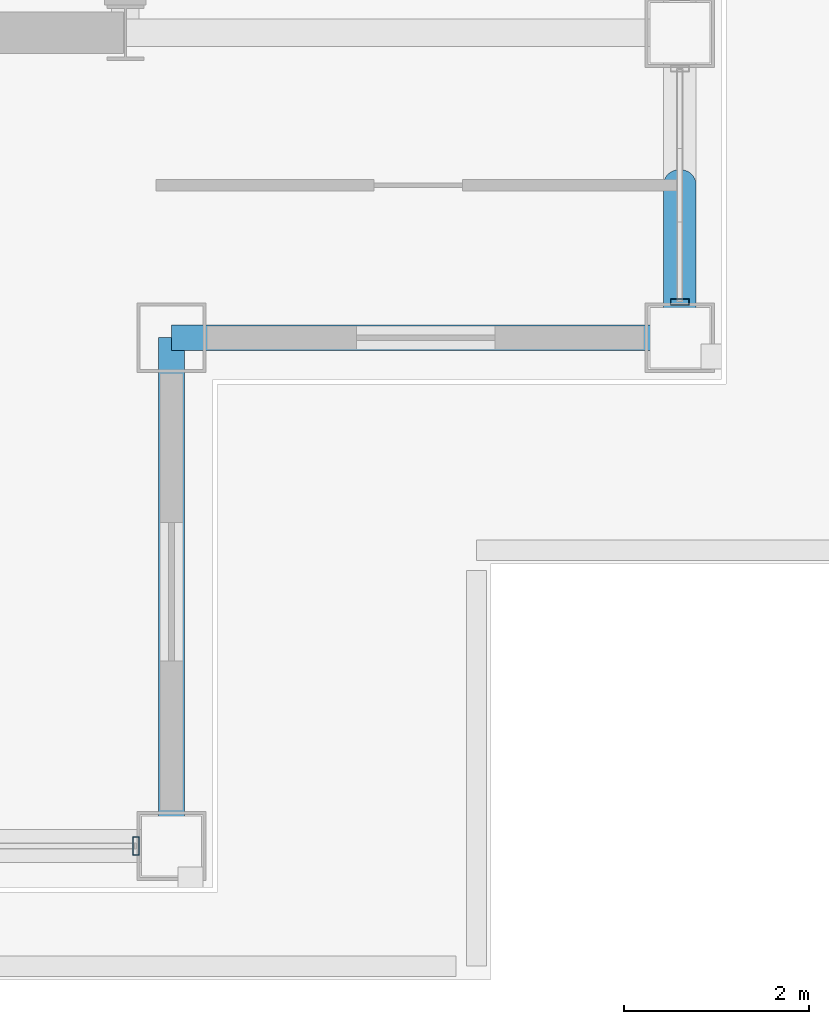
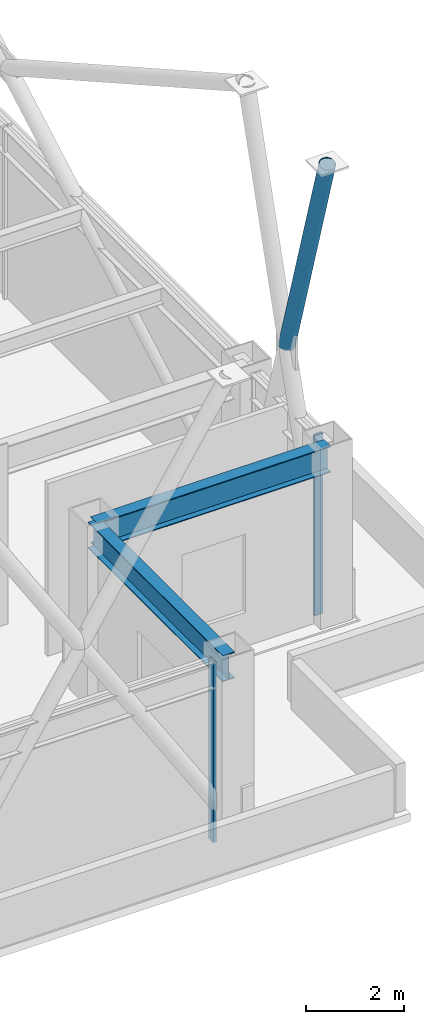
# One storey, part 10 of 24: 3 members, 2 beams, 2 elements without a shape of their own.
"""IFC4 building model written with IfcOpenShell, lengths in metres."""

from ifc_helpers import new_model, si_unit, direction, frame, origin, origin_2d, place, context, subcontext, project, spatial, hollow_rectangle, hollow_circle, i_section, extrude, material, layer, layer_set, material_profile, profile_set, type_object, element, aggregate, save


model = new_model("IFC4")

# Units and contexts
model_context = context("Model", 3, precision=1e-05, world=origin(), true_north=direction((0.0, 1.0)))
body_context = subcontext(model_context, "Body", "Model", "MODEL_VIEW")
ifc_project = project(units=[si_unit("LENGTHUNIT", "METRE"), si_unit("AREAUNIT", "SQUARE_METRE"), si_unit("VOLUMEUNIT", "CUBIC_METRE"), si_unit("PLANEANGLEUNIT", "RADIAN"), si_unit("MASSUNIT", "GRAM", prefix="KILO")], contexts=[model_context])

# Site, building, storey
site_placement = place(None, origin())
site = spatial("IfcSite", under=ifc_project, at=site_placement, CompositionType="ELEMENT")
building_placement = place(site_placement, origin())
building = spatial("IfcBuilding", under=site, at=building_placement, Name="Brelmoor Portico Tower", CompositionType="ELEMENT")
storey_placement = place(building_placement, frame((0.0, 0.0, 150.60009765625)))
storey = spatial("IfcBuildingStorey", under=building, at=storey_placement, Name="L39", CompositionType="ELEMENT", Elevation=150.60009765625)

# Beams
ifc_material_1 = material(Name="Steel Q355B", Category="steel")
ifc_material_profile_1 = material_profile(ifc_material_1, i_section(OverallWidth=0.280029296875, OverallDepth=0.64990234375, WebThickness=0.012939453125, FlangeThickness=0.02197265625, at=origin_2d()), Name="HN 650x280x13x22")
ifc_profile_set_1 = profile_set([ifc_material_profile_1], Name="Steel Q355B")
beam_type = type_object("IfcBeamType", Name="BM-SP-650", PredefinedType="SPANDREL", material=ifc_profile_set_1)
for number, where, z_axis, x_axis, name in (
    (1, (15.050048828125, -13.050048828125, 3.974853515625), (1.0, 0.0, 0.0), (0.0, 1.0, 0.0), "L39 Perimeter Spandrel Beam SP-05"),
    (2, (15.050048828125, -18.550048828125, 3.974853515625), (0.0, 1.0, 0.0), (-1.0, 0.0, 0.0), "L39 Perimeter Spandrel Beam SP-16"),
):
    element("IfcBeam", number, at=place(storey_placement, frame(where, z_axis=z_axis, x_axis=x_axis)), inside=storey, type_object=beam_type, Name=name, PredefinedType="SPANDREL", context=body_context, shape_type="SweptSolid", body=[
        extrude(i_section(OverallWidth=0.280029296875, OverallDepth=0.64990234375, WebThickness=0.012939453125, FlangeThickness=0.02197265625, at=origin_2d()), origin(), (0.0, 0.0, 1.0), 5.5),
    ])

# Member
ifc_material_profile_2 = material_profile(ifc_material_1, hollow_circle(Radius=0.177978515625, WallThickness=0.01611328125, at=origin_2d()), Name="CHS 356x16")
ifc_profile_set_2 = profile_set([ifc_material_profile_2], Name="Steel Q355B")
member_type_1 = type_object("IfcMemberType", Name="MB-BELT-DIAG2", PredefinedType="BRACE", material=ifc_profile_set_2)
member_1_placement = place(storey_placement, frame((20.550048828125, -11.39990234375, 5.75), z_axis=(0.0, -0.287371289243, 0.957819263806), x_axis=(1.0, 0.0, 0.0)))
element("IfcMember", 3, at=member_1_placement, inside=storey, type_object=member_type_1, Name="L39 Split Mega-X Brace 088B2", PredefinedType="BRACE", context=body_context, shape_type="SweptSolid", body=[
    extrude(hollow_circle(Radius=0.177978515625, WallThickness=0.01611328125, at=origin_2d()), origin(), (0.0, 0.0, 1.0), 5.7421875),
])

# Curtain wall, member
ifc_material_2 = material(Name="Anodised Aluminium Alloy 6063-T6", Category="aluminium")
ifc_layer = layer(ifc_material_2, 0.179931640625)
ifc_layer_set = layer_set([ifc_layer], Name="Anodised Aluminium Alloy 6063-T6")
curtain_wall_type = type_object("IfcCurtainWallType", Name="CW-SKYLOBBY-XB", PredefinedType="NOTDEFINED", material=ifc_layer_set)
curtain_wall_1_placement = place(storey_placement, origin())
curtain_wall_1 = element("IfcCurtainWall", 4, at=curtain_wall_1_placement, inside=storey, type_object=curtain_wall_type, Name="L39 Curtain Wall CW-L39-01-3", PredefinedType="NOTDEFINED")
ifc_material_profile_3 = material_profile(ifc_material_2, hollow_rectangle(XDim=0.070068359375, YDim=0.199951171875, WallThickness=0.00439453125, at=origin_2d()), Name="ALU MULLION 70x200")
ifc_profile_set_3 = profile_set([ifc_material_profile_3], Name="Anodised Aluminium Alloy 6063-T6")
member_type_2 = type_object("IfcMemberType", Name="MB-CW-MULL-200", PredefinedType="MULLION", material=ifc_profile_set_3)
member_2_placement = place(storey_placement, frame((14.6650390625, -18.550048828125, -0.2001953125), z_axis=(0.0, 0.0, 1.0), x_axis=(1.0, 0.0, 0.0)))
member_2 = element("IfcMember", 5, at=member_2_placement, type_object=member_type_2, Name="CW-L39-01-3 Mullion 01", PredefinedType="MULLION", context=body_context, shape_type="SweptSolid", body=[
    extrude(hollow_rectangle(XDim=0.070068359375, YDim=0.199951171875, WallThickness=0.00439453125, at=origin_2d()), origin(), (0.0, 0.0, 1.0), 4.5),
])
aggregate(curtain_wall_1, [member_2])

curtain_wall_2_placement = place(storey_placement, origin())
curtain_wall_2 = element("IfcCurtainWall", 6, at=curtain_wall_2_placement, inside=storey, type_object=curtain_wall_type, Name="L39 Curtain Wall CW-L39-04-1", PredefinedType="NOTDEFINED")
member_3_placement = place(storey_placement, frame((20.550048828125, -12.6650390625, -0.2001953125), z_axis=(0.0, 0.0, 1.0), x_axis=(0.0, 1.0, 0.0)))
member_3 = element("IfcMember", 7, at=member_3_placement, type_object=member_type_2, Name="CW-L39-04-1 Mullion 00", PredefinedType="MULLION", context=body_context, shape_type="SweptSolid", body=[
    extrude(hollow_rectangle(XDim=0.070068359375, YDim=0.199951171875, WallThickness=0.00439453125, at=origin_2d()), origin(), (0.0, 0.0, 1.0), 4.5),
])
aggregate(curtain_wall_2, [member_3])

save(model, "model.ifc")
